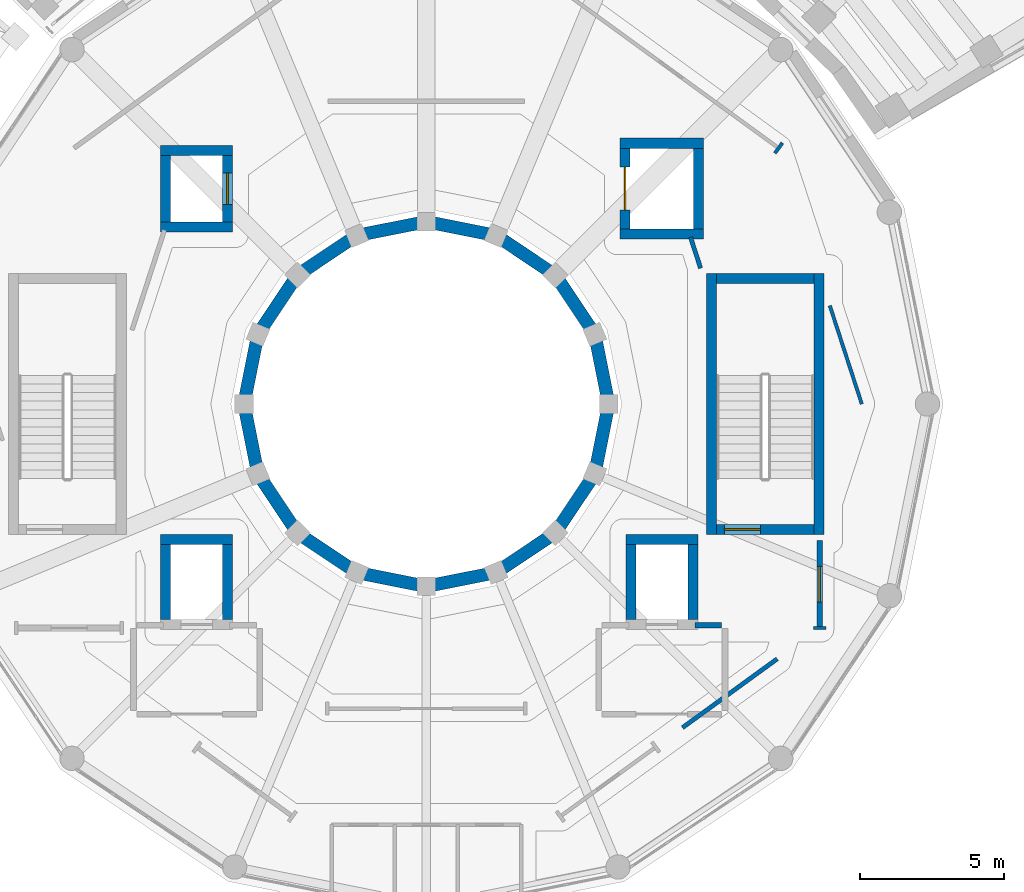
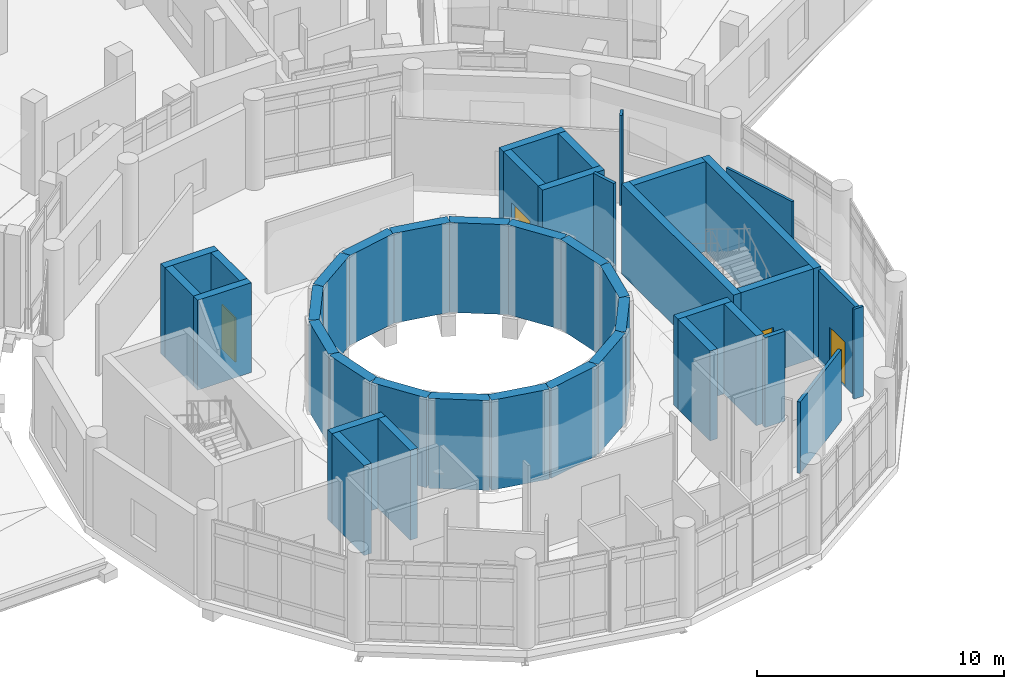
# One storey, part 33 of 49: 41 walls, 4 doors, 4 openings.
"""IFC4 building model written with IfcOpenShell, lengths in metres."""

from ifc_helpers import new_model, si_unit, direction, frame, frame_2d, origin, place, context, subcontext, project, spatial, rectangle, extrude, material, layer, layer_set, type_object, element, fill, save


model = new_model("IFC4")

# Units and contexts
model_context = context("Model", 3, precision=1e-05, world=origin(), true_north=direction((0.0, 1.0)))
body_context = subcontext(model_context, "Body", "Model", "MODEL_VIEW")
ifc_project = project(units=[si_unit("LENGTHUNIT", "METRE"), si_unit("AREAUNIT", "SQUARE_METRE"), si_unit("VOLUMEUNIT", "CUBIC_METRE"), si_unit("PLANEANGLEUNIT", "RADIAN"), si_unit("MASSUNIT", "GRAM", prefix="KILO")], contexts=[model_context])

# Site, building, storey
site_placement = place(None, origin())
site = spatial("IfcSite", under=ifc_project, at=site_placement, CompositionType="ELEMENT")
building_placement = place(site_placement, origin())
building = spatial("IfcBuilding", under=site, at=building_placement, Name="Soyqirgoq Riverine Aquarium", CompositionType="ELEMENT")
storey_placement = place(building_placement, frame((0.0, 0.0, 15.0)))
storey = spatial("IfcBuildingStorey", under=building, at=storey_placement, Name="L04", CompositionType="ELEMENT", Elevation=15.0)

# Walls
ifc_material_1 = material(Name="Concrete C40/50", Category="concrete")
ifc_layer_1 = layer(ifc_material_1, 0.35009765625)
ifc_layer_set_1 = layer_set([ifc_layer_1], Name="Concrete C40/50")
wall_type_1 = type_object("IfcWallType", Name="CoreShearWall_350_C40", PredefinedType="SHEAR", material=ifc_layer_set_1)
wall_1_placement = place(storey_placement, frame((69.675048828125, 52.449951171875, 0.0), z_axis=(0.0, 0.0, 1.0), x_axis=(0.0, 1.0, 0.0)))
element("IfcWall", 1, at=wall_1_placement, inside=storey, type_object=wall_type_1, Name="CORE-1 L04 Stair Core Shear Wall SIDE1", PredefinedType="SHEAR", context=body_context, shape_type="SweptSolid", body=[
    extrude(rectangle(XDim=9.10009765625, YDim=0.35009765625, at=frame_2d((4.550048828125, 0.0))), origin(), (0.0, 0.0, 1.0), 4.449951171875),
])
wall_2_placement = place(storey_placement, frame((69.5, 61.375, 0.0), z_axis=(0.0, 0.0, 1.0), x_axis=(-1.0, 0.0, 0.0)))
element("IfcWall", 2, at=wall_2_placement, inside=storey, type_object=wall_type_1, Name="CORE-1 L04 Stair Core Shear Wall BACK", PredefinedType="SHEAR", context=body_context, shape_type="SweptSolid", body=[
    extrude(rectangle(XDim=3.39990234375, YDim=0.35009765625, at=frame_2d((1.699951171875, 0.0))), origin(), (0.0, 0.0, 1.0), 4.449951171875),
])
wall_3_placement = place(storey_placement, frame((65.925048828125, 61.550048828125, 0.0), z_axis=(0.0, 0.0, 1.0), x_axis=(0.0, -1.0, 0.0)))
element("IfcWall", 3, at=wall_3_placement, inside=storey, type_object=wall_type_1, Name="CORE-1 L04 Stair Core Shear Wall SIDE2", PredefinedType="SHEAR", context=body_context, shape_type="SweptSolid", body=[
    extrude(rectangle(XDim=9.10009765625, YDim=0.35009765625, at=frame_2d((4.550048828125, 0.0))), origin(), (0.0, 0.0, 1.0), 4.449951171875),
])

# Wall, opening, door
wall_4_placement = place(storey_placement, frame((66.10009765625, 52.625, 0.0), z_axis=(0.0, 0.0, 1.0), x_axis=(1.0, 0.0, 0.0)))
wall_4 = element("IfcWall", 4, at=wall_4_placement, inside=storey, type_object=wall_type_1, Name="CORE-1 L04 Stair Core Shear Wall FRONT", PredefinedType="SHEAR", context=body_context, shape_type="SweptSolid", body=[
    extrude(rectangle(XDim=3.39990234375, YDim=0.35009765625, at=frame_2d((1.699951171875, 0.0))), origin(), (0.0, 0.0, 1.0), 4.449951171875),
])
opening_1_placement = place(wall_4_placement, frame((0.280029296875, 0.0, 0.0)))
opening_1 = element("IfcOpeningElement", 5, at=opening_1_placement, cuts=wall_4, Name="Opening FD-01", PredefinedType="OPENING", context=body_context, shape_type="SweptSolid", body=[
    extrude(rectangle(XDim=1.25, YDim=2.199951171875, at=frame_2d((0.625, 1.10009765625))), frame((0.0, 0.18505859375, 0.0), z_axis=(0.0, -1.0, 0.0), x_axis=(1.0, 0.0, 0.0)), (0.0, 0.0, 1.0), 0.3701171875),
])
ifc_material_2 = material(Name="Galvanised steel fire-resisting stair door", Category="steel")
door_type_1 = type_object("IfcDoorType", Name="StairFireDoor_1250x2200_EI90", OperationType="NOTDEFINED", PredefinedType="DOOR", material=ifc_material_2)
door_1_placement = place(opening_1_placement, origin())
door_1 = element("IfcDoor", 6, at=door_1_placement, inside=storey, type_object=door_type_1, Name="DR-ST-1-L04 ST-1 L04 Fire-Rated Stairwell Door", OperationType="SINGLE_SWING_LEFT", OverallHeight=2.199951171875, OverallWidth=1.25, PredefinedType="DOOR", context=body_context, shape_type="SweptSolid", body=[
    extrude(rectangle(XDim=1.25, YDim=2.199951171875, at=frame_2d((0.625, 1.10009765625))), frame((0.0, 0.02490234375, 0.0), z_axis=(0.0, -1.0, 0.0), x_axis=(1.0, 0.0, 0.0)), (0.0, 0.0, 1.0), 0.050048828125),
])
fill(opening_1, door_1)

# Walls
wall_5_placement = place(storey_placement, frame((65.280029296875, 49.4951171875, 0.0), z_axis=(0.0, 0.0, 1.0), x_axis=(0.0, 1.0, 0.0)))
element("IfcWall", 7, at=wall_5_placement, inside=storey, type_object=wall_type_1, Name="Lift FFL-1 Shaft Wall L04 2", PredefinedType="SHEAR", context=body_context, shape_type="SweptSolid", body=[
    extrude(rectangle(XDim=2.60986328125, YDim=0.35009765625, at=frame_2d((1.304931640625, 0.0))), origin(), (0.0, 0.0, 1.0), 4.449951171875),
])
wall_6_placement = place(storey_placement, frame((65.455078125, 52.280029296875, 0.0), z_axis=(0.0, 0.0, 1.0), x_axis=(-1.0, 0.0, 0.0)))
element("IfcWall", 8, at=wall_6_placement, inside=storey, type_object=wall_type_1, Name="Lift FFL-1 Shaft Wall L04 3", PredefinedType="SHEAR", context=body_context, shape_type="SweptSolid", body=[
    extrude(rectangle(XDim=2.510009765625, YDim=0.35009765625, at=frame_2d((1.2548828125, 0.0))), origin(), (0.0, 0.0, 1.0), 4.449951171875),
])
wall_7_placement = place(storey_placement, frame((63.1201171875, 52.10498046875, 0.0), z_axis=(0.0, 0.0, 1.0), x_axis=(0.0, -1.0, 0.0)))
element("IfcWall", 9, at=wall_7_placement, inside=storey, type_object=wall_type_1, Name="Lift FFL-1 Shaft Wall L04 4", PredefinedType="SHEAR", context=body_context, shape_type="SweptSolid", body=[
    extrude(rectangle(XDim=2.60986328125, YDim=0.35009765625, at=frame_2d((1.304931640625, 0.0))), origin(), (0.0, 0.0, 1.0), 4.449951171875),
])
wall_8_placement = place(storey_placement, frame((62.7451171875, 62.919921875, 0.0), z_axis=(0.0, 0.0, 1.0), x_axis=(1.0, 0.0, 0.0)))
element("IfcWall", 10, at=wall_8_placement, inside=storey, type_object=wall_type_1, Name="Lift GL-1 Shaft Wall L04 1", PredefinedType="SHEAR", context=body_context, shape_type="SweptSolid", body=[
    extrude(rectangle(XDim=2.909912109375, YDim=0.35009765625, at=frame_2d((1.455078125, 0.0))), origin(), (0.0, 0.0, 1.0), 4.449951171875),
])
wall_9_placement = place(storey_placement, frame((65.47998046875, 63.094970703125, 0.0), z_axis=(0.0, 0.0, 1.0), x_axis=(0.0, 1.0, 0.0)))
element("IfcWall", 11, at=wall_9_placement, inside=storey, type_object=wall_type_1, Name="Lift GL-1 Shaft Wall L04 2", PredefinedType="SHEAR", context=body_context, shape_type="SweptSolid", body=[
    extrude(rectangle(XDim=2.81005859375, YDim=0.35009765625, at=frame_2d((1.405029296875, 0.0))), origin(), (0.0, 0.0, 1.0), 4.449951171875),
])
wall_10_placement = place(storey_placement, frame((65.655029296875, 66.080078125, 0.0), z_axis=(0.0, 0.0, 1.0), x_axis=(-1.0, 0.0, 0.0)))
element("IfcWall", 12, at=wall_10_placement, inside=storey, type_object=wall_type_1, Name="Lift GL-1 Shaft Wall L04 3", PredefinedType="SHEAR", context=body_context, shape_type="SweptSolid", body=[
    extrude(rectangle(XDim=2.909912109375, YDim=0.35009765625, at=frame_2d((1.455078125, 0.0))), origin(), (0.0, 0.0, 1.0), 4.449951171875),
])

# Wall, opening, door
wall_11_placement = place(storey_placement, frame((62.919921875, 65.905029296875, 0.0), z_axis=(0.0, 0.0, 1.0), x_axis=(0.0, -1.0, 0.0)))
wall_11 = element("IfcWall", 13, at=wall_11_placement, inside=storey, type_object=wall_type_1, Name="Lift GL-1 Shaft Wall L04 4", PredefinedType="SHEAR", context=body_context, shape_type="SweptSolid", body=[
    extrude(rectangle(XDim=2.81005859375, YDim=0.35009765625, at=frame_2d((1.405029296875, 0.0))), origin(), (0.0, 0.0, 1.0), 4.449951171875),
])
opening_2_placement = place(wall_11_placement, frame((0.655029296875, 0.0, 0.0)))
opening_2 = element("IfcOpeningElement", 14, at=opening_2_placement, cuts=wall_11, Name="Opening LD-02", PredefinedType="OPENING", context=body_context, shape_type="SweptSolid", body=[
    extrude(rectangle(XDim=1.5, YDim=2.300048828125, at=frame_2d((0.75, 1.14990234375))), frame((0.0, 0.18505859375, 0.0), z_axis=(0.0, -1.0, 0.0), x_axis=(1.0, 0.0, 0.0)), (0.0, 0.0, 1.0), 0.3701171875),
])
ifc_material_3 = material(Name="Heavy-duty stainless steel bi-parting lift landing door", Category="steel")
door_type_2 = type_object("IfcDoorType", Name="GoodsLiftLandingDoor_1500x2300", OperationType="SLIDING_TO_LEFT", PredefinedType="DOOR", material=ifc_material_3)
door_2_placement = place(opening_2_placement, origin())
door_2 = element("IfcDoor", 15, at=door_2_placement, inside=storey, type_object=door_type_2, Name="LD-GL-1-L04 Lift GL-1 L04 Sliding Landing Door", OperationType="SLIDING_TO_LEFT", OverallHeight=2.300048828125, OverallWidth=1.5, PredefinedType="DOOR", context=body_context, shape_type="SweptSolid", body=[
    extrude(rectangle(XDim=1.5, YDim=2.300048828125, at=frame_2d((0.75, 1.14990234375))), frame((0.0, 0.02490234375, 0.0), z_axis=(0.0, -1.0, 0.0), x_axis=(1.0, 0.0, 0.0)), (0.0, 0.0, 1.0), 0.050048828125),
])
fill(opening_2, door_2)

# Walls
wall_12_placement = place(storey_placement, frame((49.080078125, 49.4951171875, 0.0), z_axis=(0.0, 0.0, 1.0), x_axis=(0.0, 1.0, 0.0)))
element("IfcWall", 16, at=wall_12_placement, inside=storey, type_object=wall_type_1, Name="Lift FFL-2 Shaft Wall L04 2", PredefinedType="SHEAR", context=body_context, shape_type="SweptSolid", body=[
    extrude(rectangle(XDim=2.60986328125, YDim=0.35009765625, at=frame_2d((1.304931640625, 0.0))), origin(), (0.0, 0.0, 1.0), 4.449951171875),
])
wall_13_placement = place(storey_placement, frame((49.2548828125, 52.280029296875, 0.0), z_axis=(0.0, 0.0, 1.0), x_axis=(-1.0, 0.0, 0.0)))
element("IfcWall", 17, at=wall_13_placement, inside=storey, type_object=wall_type_1, Name="Lift FFL-2 Shaft Wall L04 3", PredefinedType="SHEAR", context=body_context, shape_type="SweptSolid", body=[
    extrude(rectangle(XDim=2.509765625, YDim=0.35009765625, at=frame_2d((1.2548828125, 0.0))), origin(), (0.0, 0.0, 1.0), 4.449951171875),
])
wall_14_placement = place(storey_placement, frame((46.919921875, 52.10498046875, 0.0), z_axis=(0.0, 0.0, 1.0), x_axis=(0.0, -1.0, 0.0)))
element("IfcWall", 18, at=wall_14_placement, inside=storey, type_object=wall_type_1, Name="Lift FFL-2 Shaft Wall L04 4", PredefinedType="SHEAR", context=body_context, shape_type="SweptSolid", body=[
    extrude(rectangle(XDim=2.60986328125, YDim=0.35009765625, at=frame_2d((1.304931640625, 0.0))), origin(), (0.0, 0.0, 1.0), 4.449951171875),
])
wall_15_placement = place(storey_placement, frame((46.7451171875, 63.169921875, 0.0), z_axis=(0.0, 0.0, 1.0), x_axis=(1.0, 0.0, 0.0)))
element("IfcWall", 19, at=wall_15_placement, inside=storey, type_object=wall_type_1, Name="Lift PL-1 Shaft Wall L04 1", PredefinedType="SHEAR", context=body_context, shape_type="SweptSolid", body=[
    extrude(rectangle(XDim=2.509765625, YDim=0.35009765625, at=frame_2d((1.2548828125, 0.0))), origin(), (0.0, 0.0, 1.0), 4.449951171875),
])

# Wall, opening, door
wall_16_placement = place(storey_placement, frame((49.080078125, 63.344970703125, 0.0), z_axis=(0.0, 0.0, 1.0), x_axis=(0.0, 1.0, 0.0)))
wall_16 = element("IfcWall", 20, at=wall_16_placement, inside=storey, type_object=wall_type_1, Name="Lift PL-1 Shaft Wall L04 2", PredefinedType="SHEAR", context=body_context, shape_type="SweptSolid", body=[
    extrude(rectangle(XDim=2.31005859375, YDim=0.35009765625, at=frame_2d((1.155029296875, 0.0))), origin(), (0.0, 0.0, 1.0), 4.449951171875),
])
opening_3_placement = place(wall_16_placement, frame((0.60498046875, 0.0, 0.0)))
opening_3 = element("IfcOpeningElement", 21, at=opening_3_placement, cuts=wall_16, Name="Opening LD-01", PredefinedType="OPENING", context=body_context, shape_type="SweptSolid", body=[
    extrude(rectangle(XDim=1.10009765625, YDim=2.199951171875, at=frame_2d((0.550048828125, 1.10009765625))), frame((0.0, 0.18505859375, 0.0), z_axis=(0.0, -1.0, 0.0), x_axis=(1.0, 0.0, 0.0)), (0.0, 0.0, 1.0), 0.3701171875),
])
ifc_material_4 = material(Name="Brushed stainless steel telescopic lift landing door", Category="steel")
door_type_3 = type_object("IfcDoorType", Name="LiftLandingDoor_1100x2200", OperationType="SLIDING_TO_LEFT", PredefinedType="DOOR", material=ifc_material_4)
door_3_placement = place(opening_3_placement, origin())
door_3 = element("IfcDoor", 22, at=door_3_placement, inside=storey, type_object=door_type_3, Name="LD-PL-1-L04 Lift PL-1 L04 Sliding Landing Door", OperationType="SLIDING_TO_LEFT", OverallHeight=2.199951171875, OverallWidth=1.10009765625, PredefinedType="DOOR", context=body_context, shape_type="SweptSolid", body=[
    extrude(rectangle(XDim=1.10009765625, YDim=2.199951171875, at=frame_2d((0.550048828125, 1.10009765625))), frame((0.0, 0.02490234375, 0.0), z_axis=(0.0, -1.0, 0.0), x_axis=(1.0, 0.0, 0.0)), (0.0, 0.0, 1.0), 0.050048828125),
])
fill(opening_3, door_3)

# Walls
wall_17_placement = place(storey_placement, frame((49.2548828125, 65.830078125, 0.0), z_axis=(0.0, 0.0, 1.0), x_axis=(-1.0, 0.0, 0.0)))
element("IfcWall", 23, at=wall_17_placement, inside=storey, type_object=wall_type_1, Name="Lift PL-1 Shaft Wall L04 3", PredefinedType="SHEAR", context=body_context, shape_type="SweptSolid", body=[
    extrude(rectangle(XDim=2.509765625, YDim=0.35009765625, at=frame_2d((1.2548828125, 0.0))), origin(), (0.0, 0.0, 1.0), 4.449951171875),
])
wall_18_placement = place(storey_placement, frame((46.919921875, 65.655029296875, 0.0), z_axis=(0.0, 0.0, 1.0), x_axis=(0.0, -1.0, 0.0)))
element("IfcWall", 24, at=wall_18_placement, inside=storey, type_object=wall_type_1, Name="Lift PL-1 Shaft Wall L04 4", PredefinedType="SHEAR", context=body_context, shape_type="SweptSolid", body=[
    extrude(rectangle(XDim=2.31005859375, YDim=0.35009765625, at=frame_2d((1.155029296875, 0.0))), origin(), (0.0, 0.0, 1.0), 4.449951171875),
])
ifc_material_5 = material(Name="Concrete C40/50", Category="concrete")
ifc_layer_2 = layer(ifc_material_5, 0.449951171875)
ifc_layer_set_2 = layer_set([ifc_layer_2], Name="Concrete C40/50")
wall_type_2 = type_object("IfcWallType", Name="CoreShearWall_450_C40", PredefinedType="SHEAR", material=ifc_layer_set_2)
wall_19_placement = place(storey_placement, frame((62.35009765625, 57.0, 0.0), z_axis=(0.0, 0.0, 1.0), x_axis=(-0.195111669554, 0.980781033872, 0.0)))
element("IfcWall", 25, at=wall_19_placement, inside=storey, type_object=wall_type_2, Name="Ocean Tank Containment Wall Segment 01 L04", PredefinedType="SHEAR", context=body_context, shape_type="SweptSolid", body=[
    extrude(rectangle(XDim=2.4775390625, YDim=0.449951171875, at=frame_2d((1.23876953125, 0.0))), origin(), (0.0, 0.0, 1.0), 4.449951171875),
])
for number, where, z_axis, x_axis, name in (
    (26, (61.86669921875, 59.429931640625, 0.0), (0.0, 0.0, 1.0), (-0.55563212942, 0.831428251117, 0.0), "Ocean Tank Containment Wall Segment 02 L04"),
    (27, (60.489990234375, 61.489990234375, 0.0), (0.0, 0.0, 1.0), (-0.831428251117, 0.55563212942, 0.0), "Ocean Tank Containment Wall Segment 03 L04"),
):
    element("IfcWall", number, at=place(storey_placement, frame(where, z_axis=z_axis, x_axis=x_axis)), inside=storey, type_object=wall_type_2, Name=name, PredefinedType="SHEAR", context=body_context, shape_type="SweptSolid", body=[
        extrude(rectangle(XDim=2.477783203125, YDim=0.449951171875, at=frame_2d((1.23876953125, 0.0))), origin(), (0.0, 0.0, 1.0), 4.449951171875),
    ])
for number, where, z_axis, x_axis, name in (
    (28, (58.429931640625, 62.86669921875, 0.0), (0.0, 0.0, 1.0), (-0.980781033872, 0.195111669554, 0.0), "Ocean Tank Containment Wall Segment 04 L04"),
    (29, (56.0, 63.35009765625, 0.0), (0.0, 0.0, 1.0), (-0.980781033872, -0.195111669554, 0.0), "Ocean Tank Containment Wall Segment 05 L04"),
):
    element("IfcWall", number, at=place(storey_placement, frame(where, z_axis=z_axis, x_axis=x_axis)), inside=storey, type_object=wall_type_2, Name=name, PredefinedType="SHEAR", context=body_context, shape_type="SweptSolid", body=[
        extrude(rectangle(XDim=2.4775390625, YDim=0.449951171875, at=frame_2d((1.23876953125, 0.0))), origin(), (0.0, 0.0, 1.0), 4.449951171875),
    ])
for number, where, z_axis, x_axis, name in (
    (30, (53.570068359375, 62.86669921875, 0.0), (0.0, 0.0, 1.0), (-0.831428251117, -0.55563212942, 0.0), "Ocean Tank Containment Wall Segment 06 L04"),
    (31, (51.510009765625, 61.489990234375, 0.0), (0.0, 0.0, 1.0), (-0.55563212942, -0.831428251117, 0.0), "Ocean Tank Containment Wall Segment 07 L04"),
):
    element("IfcWall", number, at=place(storey_placement, frame(where, z_axis=z_axis, x_axis=x_axis)), inside=storey, type_object=wall_type_2, Name=name, PredefinedType="SHEAR", context=body_context, shape_type="SweptSolid", body=[
        extrude(rectangle(XDim=2.477783203125, YDim=0.449951171875, at=frame_2d((1.23876953125, 0.0))), origin(), (0.0, 0.0, 1.0), 4.449951171875),
    ])
for number, where, z_axis, x_axis, name in (
    (32, (50.13330078125, 59.429931640625, 0.0), (0.0, 0.0, 1.0), (-0.195111669554, -0.980781033872, 0.0), "Ocean Tank Containment Wall Segment 08 L04"),
    (33, (49.64990234375, 57.0, 0.0), (0.0, 0.0, 1.0), (0.195111669554, -0.980781033872, 0.0), "Ocean Tank Containment Wall Segment 09 L04"),
):
    element("IfcWall", number, at=place(storey_placement, frame(where, z_axis=z_axis, x_axis=x_axis)), inside=storey, type_object=wall_type_2, Name=name, PredefinedType="SHEAR", context=body_context, shape_type="SweptSolid", body=[
        extrude(rectangle(XDim=2.4775390625, YDim=0.449951171875, at=frame_2d((1.23876953125, 0.0))), origin(), (0.0, 0.0, 1.0), 4.449951171875),
    ])
for number, where, z_axis, x_axis, name in (
    (34, (50.13330078125, 54.570068359375, 0.0), (0.0, 0.0, 1.0), (0.55563212942, -0.831428251117, 0.0), "Ocean Tank Containment Wall Segment 10 L04"),
    (35, (51.510009765625, 52.510009765625, 0.0), (0.0, 0.0, 1.0), (0.831428251117, -0.55563212942, 0.0), "Ocean Tank Containment Wall Segment 11 L04"),
):
    element("IfcWall", number, at=place(storey_placement, frame(where, z_axis=z_axis, x_axis=x_axis)), inside=storey, type_object=wall_type_2, Name=name, PredefinedType="SHEAR", context=body_context, shape_type="SweptSolid", body=[
        extrude(rectangle(XDim=2.477783203125, YDim=0.449951171875, at=frame_2d((1.23876953125, 0.0))), origin(), (0.0, 0.0, 1.0), 4.449951171875),
    ])
for number, where, z_axis, x_axis, name in (
    (36, (53.570068359375, 51.13330078125, 0.0), (0.0, 0.0, 1.0), (0.980781033872, -0.195111669554, 0.0), "Ocean Tank Containment Wall Segment 12 L04"),
    (37, (56.0, 50.64990234375, 0.0), (0.0, 0.0, 1.0), (0.980781033872, 0.195111669554, 0.0), "Ocean Tank Containment Wall Segment 13 L04"),
):
    element("IfcWall", number, at=place(storey_placement, frame(where, z_axis=z_axis, x_axis=x_axis)), inside=storey, type_object=wall_type_2, Name=name, PredefinedType="SHEAR", context=body_context, shape_type="SweptSolid", body=[
        extrude(rectangle(XDim=2.4775390625, YDim=0.449951171875, at=frame_2d((1.23876953125, 0.0))), origin(), (0.0, 0.0, 1.0), 4.449951171875),
    ])
for number, where, z_axis, x_axis, name in (
    (38, (58.429931640625, 51.13330078125, 0.0), (0.0, 0.0, 1.0), (0.831428251117, 0.55563212942, 0.0), "Ocean Tank Containment Wall Segment 14 L04"),
    (39, (60.489990234375, 52.510009765625, 0.0), (0.0, 0.0, 1.0), (0.55563212942, 0.831428251117, 0.0), "Ocean Tank Containment Wall Segment 15 L04"),
):
    element("IfcWall", number, at=place(storey_placement, frame(where, z_axis=z_axis, x_axis=x_axis)), inside=storey, type_object=wall_type_2, Name=name, PredefinedType="SHEAR", context=body_context, shape_type="SweptSolid", body=[
        extrude(rectangle(XDim=2.477783203125, YDim=0.449951171875, at=frame_2d((1.23876953125, 0.0))), origin(), (0.0, 0.0, 1.0), 4.449951171875),
    ])
wall_20_placement = place(storey_placement, frame((61.86669921875, 54.570068359375, 0.0), z_axis=(0.0, 0.0, 1.0), x_axis=(0.195111669554, 0.980781033872, 0.0)))
element("IfcWall", 40, at=wall_20_placement, inside=storey, type_object=wall_type_2, Name="Ocean Tank Containment Wall Segment 16 L04", PredefinedType="SHEAR", context=body_context, shape_type="SweptSolid", body=[
    extrude(rectangle(XDim=2.4775390625, YDim=0.449951171875, at=frame_2d((1.23876953125, 0.0))), origin(), (0.0, 0.0, 1.0), 4.449951171875),
])
ifc_material_6 = material(Name="Lightweight steel-stud gypsum partition", Category="steel")
ifc_layer_3 = layer(ifc_material_6, 0.1201171875)
ifc_layer_set_3 = layer_set([ifc_layer_3], Name="Lightweight steel-stud gypsum partition")
wall_type_3 = type_object("IfcWallType", Name="PartitionWall_120_Std", PredefinedType="PARTITIONING", material=ifc_layer_set_3)
wall_21_placement = place(storey_placement, frame((70.050048828125, 60.42578125, 0.0), z_axis=(0.0, 0.0, 1.0), x_axis=(0.309000246947, -0.951061957701, 0.0)))
element("IfcWall", 41, at=wall_21_placement, inside=storey, type_object=wall_type_3, Name="Marine Mammals Observation Room Partition Wall", PredefinedType="PARTITIONING", context=body_context, shape_type="SweptSolid", body=[
    extrude(rectangle(XDim=3.60205078125, YDim=0.1201171875, at=frame_2d((1.801025390625, 0.0))), origin(), (0.0, 0.0, 1.0), 4.449951171875),
])
wall_22_placement = place(storey_placement, frame((69.919921875, 49.199951171875, 0.0), z_axis=(0.0, 0.0, 1.0), x_axis=(-1.0, 0.0, 0.0)))
element("IfcWall", 42, at=wall_22_placement, inside=storey, type_object=wall_type_3, Name="V1 L04 Jamb Return Pier", PredefinedType="PARTITIONING", context=body_context, shape_type="SweptSolid", body=[
    extrude(rectangle(XDim=0.43994140625, YDim=0.1201171875, at=frame_2d((0.219970703125, 0.0))), origin(), (0.0, 0.0, 1.0), 4.449951171875),
])
wall_23_placement = place(storey_placement, frame((68.137939453125, 65.734619140625, 0.0), z_axis=(0.0, 0.0, 1.0), x_axis=(0.587412867849, 0.809287416611, 0.0)))
element("IfcWall", 43, at=wall_23_placement, inside=storey, type_object=wall_type_3, Name="V1 L04 Jamb Return Pier", PredefinedType="PARTITIONING", context=body_context, shape_type="SweptSolid", body=[
    extrude(rectangle(XDim=0.440185546875, YDim=0.1201171875, at=frame_2d((0.22021484375, 0.0))), origin(), (0.0, 0.0, 1.0), 4.449951171875),
])
ifc_material_7 = material(Name="Acoustic mineral-wool twin-stud partition", Category="gypsum")
ifc_layer_4 = layer(ifc_material_7, 0.14990234375)
ifc_layer_set_4 = layer_set([ifc_layer_4], Name="Acoustic mineral-wool twin-stud partition")
wall_type_4 = type_object("IfcWallType", Name="PartitionWall_150_Acoustic", PredefinedType="PARTITIONING", material=ifc_layer_set_4)
wall_24_placement = place(storey_placement, frame((64.919921875, 45.7294921875, 0.0), z_axis=(0.0, 0.0, 1.0), x_axis=(0.809010646545, 0.587793989232, 0.0)))
element("IfcWall", 44, at=wall_24_placement, inside=storey, type_object=wall_type_4, Name="Ocean Drum Circulation Corridor Partition Wall", PredefinedType="PARTITIONING", context=body_context, shape_type="SweptSolid", body=[
    extrude(rectangle(XDim=4.07470703125, YDim=0.14990234375, at=frame_2d((2.037353515625, 0.0))), origin(), (0.0, 0.0, 1.0), 3.5400390625),
])
wall_25_placement = place(storey_placement, frame((65.550048828125, 61.72998046875, 0.0), z_axis=(0.0, 0.0, 1.0), x_axis=(-0.309032395142, 0.951051512145, 0.0)))
element("IfcWall", 45, at=wall_25_placement, inside=storey, type_object=wall_type_4, Name="Deep Reef Viewing Gallery Partition Wall", PredefinedType="PARTITIONING", context=body_context, shape_type="SweptSolid", body=[
    extrude(rectangle(XDim=1.13134765625, YDim=0.14990234375, at=frame_2d((0.565673828125, 0.0))), origin(), (0.0, 0.0, 1.0), 4.449951171875),
])
ifc_material_8 = material(Name="Fire-rated calcium silicate twin-stud partition", Category="gypsum")
ifc_layer_5 = layer(ifc_material_8, 0.199951171875)
ifc_layer_set_5 = layer_set([ifc_layer_5], Name="Fire-rated calcium silicate twin-stud partition")
wall_type_5 = type_object("IfcWallType", Name="PartitionWall_200_EI90", PredefinedType="PARTITIONING", material=ifc_layer_set_5)
wall_26_placement = place(storey_placement, frame((65.35009765625, 49.300048828125, 0.0), z_axis=(0.0, 0.0, 1.0), x_axis=(1.0, 0.0, 0.0)))
element("IfcWall", 46, at=wall_26_placement, inside=storey, type_object=wall_type_5, Name="CORE-1 L04 Firefighting Lobby NR Wall", PredefinedType="PARTITIONING", context=body_context, shape_type="SweptSolid", body=[
    extrude(rectangle(XDim=0.929931640625, YDim=0.199951171875, at=frame_2d((0.46484375, 0.0))), origin(), (0.0, 0.0, 1.0), 4.449951171875),
])

# Wall, opening, door
wall_27_placement = place(storey_placement, frame((69.699951171875, 49.199951171875, 0.0), z_axis=(0.0, 0.0, 1.0), x_axis=(0.0, 1.0, 0.0)))
wall_27 = element("IfcWall", 47, at=wall_27_placement, inside=storey, type_object=wall_type_5, Name="Stair Vestibule ST-1 Fire Enclosure Wall", PredefinedType="PARTITIONING", context=body_context, shape_type="SweptSolid", body=[
    extrude(rectangle(XDim=3.050048828125, YDim=0.199951171875, at=frame_2d((1.52490234375, 0.0))), origin(), (0.0, 0.0, 1.0), 4.449951171875),
])
opening_4_placement = place(wall_27_placement, frame((0.89990234375, 0.0, 0.0)))
opening_4 = element("IfcOpeningElement", 48, at=opening_4_placement, cuts=wall_27, Name="Opening FD-01", PredefinedType="OPENING", context=body_context, shape_type="SweptSolid", body=[
    extrude(rectangle(XDim=1.25, YDim=2.199951171875, at=frame_2d((0.625, 1.10009765625))), frame((0.0, 0.10986328125, 0.0), z_axis=(0.0, -1.0, 0.0), x_axis=(1.0, 0.0, 0.0)), (0.0, 0.0, 1.0), 0.219970703125),
])
door_4_placement = place(opening_4_placement, origin())
door_4 = element("IfcDoor", 49, at=door_4_placement, inside=storey, type_object=door_type_1, Name="IDR-V1-L04-0046 Stair Vestibule ST-1 Egress Fire Door", OperationType="SINGLE_SWING_LEFT", OverallHeight=2.199951171875, OverallWidth=1.25, PredefinedType="DOOR", context=body_context, shape_type="SweptSolid", body=[
    extrude(rectangle(XDim=1.25, YDim=2.199951171875, at=frame_2d((0.625, 1.10009765625))), frame((0.0, 0.02490234375, 0.0), z_axis=(0.0, -1.0, 0.0), x_axis=(1.0, 0.0, 0.0)), (0.0, 0.0, 1.0), 0.050048828125),
])
fill(opening_4, door_4)

save(model, "model.ifc")
